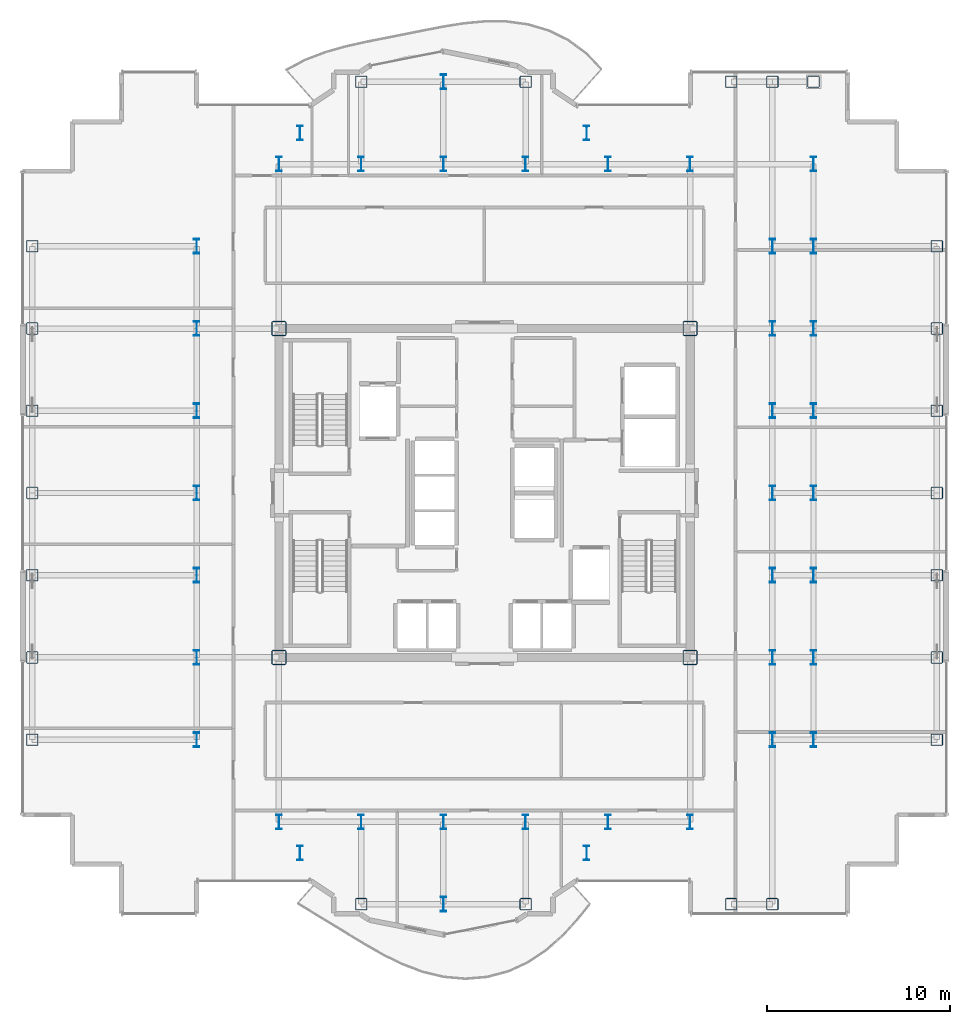
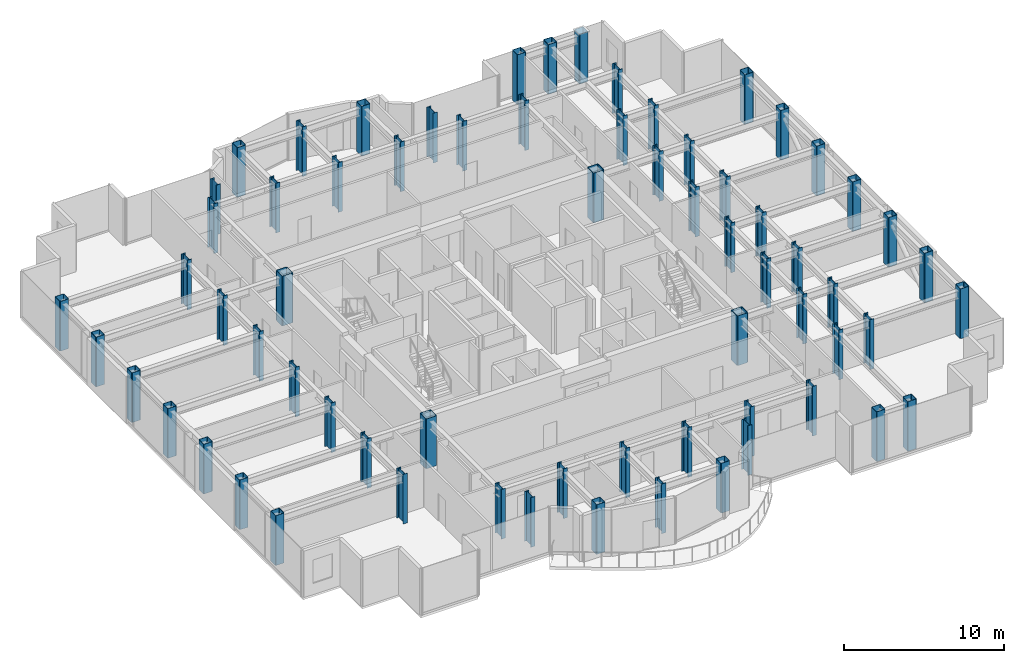
# One storey, part 1 of 22: 67 columns.
"""IFC4 building model written with IfcOpenShell, lengths in metres."""

from ifc_helpers import new_model, si_unit, direction, frame, origin, origin_2d, place, context, subcontext, project, spatial, hollow_rectangle, i_section, extrude, source, transform, mapped, material, material_profile, profile_set, type_object, element, save


model = new_model("IFC4")

# Units and contexts
model_context = context("Model", 3, precision=1e-05, world=origin(), true_north=direction((0.0, 1.0)))
body_context = subcontext(model_context, "Body", "Model", "MODEL_VIEW")
ifc_project = project(units=[si_unit("LENGTHUNIT", "METRE"), si_unit("AREAUNIT", "SQUARE_METRE"), si_unit("VOLUMEUNIT", "CUBIC_METRE"), si_unit("PLANEANGLEUNIT", "RADIAN"), si_unit("MASSUNIT", "GRAM", prefix="KILO")], contexts=[model_context])

# Site, building, storey
site_placement = place(None, origin())
site = spatial("IfcSite", under=ifc_project, at=site_placement, CompositionType="ELEMENT")
building_placement = place(site_placement, origin())
building = spatial("IfcBuilding", under=site, at=building_placement, Name="Nefas-Gora Pilgrimage Tower", CompositionType="ELEMENT")
storey_placement = place(building_placement, frame((0.0, 0.0, 218.0)))
storey = spatial("IfcBuildingStorey", under=building, at=storey_placement, Name="L54", CompositionType="ELEMENT", Elevation=218.0)

# Columns
ifc_material = material(Name="Steel S460", Category="steel")
ifc_material_profile_1 = material_profile(ifc_material, i_section(OverallWidth=0.302978515625, OverallDepth=0.81396484375, WebThickness=0.02099609375, FlangeThickness=0.0400390625, FilletRadius=0.030029296875, at=origin_2d()), Name="HEM 800")
ifc_profile_set_1 = profile_set([ifc_material_profile_1], Name="Steel S460")
column_type_1 = type_object("IfcColumnType", Name="COL-WEB-HEM800", PredefinedType="COLUMN", material=ifc_profile_set_1)
shared_shape_1 = source(origin(), body_context, "Body", "SweptSolid", [
    extrude(i_section(OverallWidth=0.302978515625, OverallDepth=0.81396484375, WebThickness=0.02099609375, FlangeThickness=0.0400390625, FilletRadius=0.030029296875, at=origin_2d()), origin(), (0.0, 0.0, 1.0), 3.800048828125),
])
for number, where, z_axis, x_axis, name in (
    (1, (-15.75, -13.5, 0.0), (0.0, 0.0, 1.0), (1.0, 0.0, 0.0), "L54 Tower Column CW-02.8"),
    (2, (-15.75, -9.0, 0.0), (0.0, 0.0, 1.0), (1.0, 0.0, 0.0), "L54 Tower Column CW-02.9"),
    (3, (-15.75, -4.5, 0.0), (0.0, 0.0, 1.0), (1.0, 0.0, 0.0), "L54 Tower Column CW-02.10"),
    (4, (-15.75, 0.0, 0.0), (0.0, 0.0, 1.0), (1.0, 0.0, 0.0), "L54 Tower Column CW-02.11"),
    (5, (-15.75, 4.5, 0.0), (0.0, 0.0, 1.0), (1.0, 0.0, 0.0), "L54 Tower Column CW-02.12"),
    (6, (-15.75, 9.0, 0.0), (0.0, 0.0, 1.0), (1.0, 0.0, 0.0), "L54 Tower Column CW-02.13"),
    (7, (-15.75, 13.5, 0.0), (0.0, 0.0, 1.0), (1.0, 0.0, 0.0), "L54 Tower Column CW-02.14"),
    (8, (-11.25, -18.0, 0.0), (0.0, 0.0, 1.0), (1.0, 0.0, 0.0), "L54 Tower Column CW-02.15"),
    (9, (-11.25, 18.0, 0.0), (0.0, 0.0, 1.0), (1.0, 0.0, 0.0), "L54 Tower Column CW-02.18"),
    (10, (-10.091064453125, -19.696044921875, 0.0), (0.0, 0.0, 1.0), (1.0, 0.0, 0.0), "L54 Tower Column CW-02.19"),
    (11, (-10.091064453125, 19.696044921875, 0.0), (0.0, 0.0, 1.0), (1.0, 0.0, 0.0), "L54 Tower Column CW-02.20"),
    (12, (-6.75, -18.0, 0.0), (0.0, 0.0, 1.0), (1.0, 0.0, 0.0), "L54 Tower Column CW-02.22"),
    (13, (-6.75, 18.0, 0.0), (0.0, 0.0, 1.0), (1.0, 0.0, 0.0), "L54 Tower Column CW-02.23"),
    (14, (-2.25, -22.5, 0.0), (0.0, 0.0, 1.0), (1.0, 0.0, 0.0), "L54 Tower Column CW-02.25"),
    (15, (-2.25, -18.0, 0.0), (0.0, 0.0, 1.0), (1.0, 0.0, 0.0), "L54 Tower Column CW-02.26"),
    (16, (-2.25, 18.0, 0.0), (0.0, 0.0, 1.0), (1.0, 0.0, 0.0), "L54 Tower Column CW-02.27"),
    (17, (-2.25, 22.5, 0.0), (0.0, 0.0, 1.0), (1.0, 0.0, 0.0), "L54 Tower Column CW-02.28"),
    (18, (2.25, -18.0, 0.0), (0.0, 0.0, 1.0), (1.0, 0.0, 0.0), "L54 Tower Column CW-02.30"),
    (19, (2.25, 18.0, 0.0), (0.0, 0.0, 1.0), (1.0, 0.0, 0.0), "L54 Tower Column CW-02.31"),
    (20, (5.591064453125, -19.696044921875, 0.0), (0.0, 0.0, 1.0), (1.0, 0.0, 0.0), "L54 Tower Column CW-02.33"),
    (21, (5.591064453125, 19.696044921875, 0.0), (0.0, 0.0, 1.0), (1.0, 0.0, 0.0), "L54 Tower Column CW-02.34"),
    (22, (6.75, -18.0, 0.0), (0.0, 0.0, 1.0), (1.0, 0.0, 0.0), "L54 Tower Column CW-02.35"),
    (23, (6.75, 18.0, 0.0), (0.0, 0.0, 1.0), (1.0, 0.0, 0.0), "L54 Tower Column CW-02.36"),
    (24, (11.25, -18.0, 0.0), (0.0, 0.0, 1.0), (1.0, 0.0, 0.0), "L54 Tower Column CW-02.37"),
    (25, (11.25, 18.0, 0.0), (0.0, 0.0, 1.0), (1.0, 0.0, 0.0), "L54 Tower Column CW-02.40"),
    (26, (15.75, -13.5, 0.0), (0.0, 0.0, 1.0), (1.0, 0.0, 0.0), "L54 Tower Column CW-02.44"),
    (27, (15.75, -9.0, 0.0), (0.0, 0.0, 1.0), (1.0, 0.0, 0.0), "L54 Tower Column CW-02.45"),
    (28, (15.75, -4.5, 0.0), (0.0, 0.0, 1.0), (1.0, 0.0, 0.0), "L54 Tower Column CW-02.46"),
    (29, (15.75, 0.0, 0.0), (0.0, 0.0, 1.0), (1.0, 0.0, 0.0), "L54 Tower Column CW-02.47"),
    (30, (15.75, 4.5, 0.0), (0.0, 0.0, 1.0), (1.0, 0.0, 0.0), "L54 Tower Column CW-02.48"),
    (31, (15.75, 9.0, 0.0), (0.0, 0.0, 1.0), (1.0, 0.0, 0.0), "L54 Tower Column CW-02.49"),
    (32, (15.75, 13.5, 0.0), (0.0, 0.0, 1.0), (1.0, 0.0, 0.0), "L54 Tower Column CW-02.50"),
    (33, (18.0, -13.5, 0.0), (0.0, 0.0, 1.0), (1.0, 0.0, 0.0), "L54 Tower Column CW-02.52"),
    (34, (18.0, -9.0, 0.0), (0.0, 0.0, 1.0), (1.0, 0.0, 0.0), "L54 Tower Column CW-02.53"),
    (35, (18.0, -4.5, 0.0), (0.0, 0.0, 1.0), (1.0, 0.0, 0.0), "L54 Tower Column CW-02.54"),
    (36, (18.0, 0.0, 0.0), (0.0, 0.0, 1.0), (1.0, 0.0, 0.0), "L54 Tower Column CW-02.55"),
    (37, (18.0, 4.5, 0.0), (0.0, 0.0, 1.0), (1.0, 0.0, 0.0), "L54 Tower Column CW-02.56"),
    (38, (18.0, 9.0, 0.0), (0.0, 0.0, 1.0), (1.0, 0.0, 0.0), "L54 Tower Column CW-02.57"),
    (39, (18.0, 13.5, 0.0), (0.0, 0.0, 1.0), (1.0, 0.0, 0.0), "L54 Tower Column CW-02.58"),
    (40, (18.0, 18.0, 0.0), (0.0, 0.0, 1.0), (1.0, 0.0, 0.0), "L54 Tower Column CW-02.59"),
):
    element("IfcColumn", number, at=place(storey_placement, frame(where, z_axis=z_axis, x_axis=x_axis)), inside=storey, type_object=column_type_1, Name=name, PredefinedType="COLUMN", context=body_context, shape_type="MappedRepresentation", body=[
        mapped(shared_shape_1, transform((0.0, 0.0, 0.0), x_axis=(1.0, 0.0, 0.0), y_axis=(0.0, 1.0, 0.0), z_axis=(0.0, 0.0, 1.0), scale=1.0)),
    ])
ifc_material_profile_2 = material_profile(ifc_material, hollow_rectangle(XDim=0.800048828125, YDim=0.800048828125, WallThickness=0.0400390625, InnerFilletRadius=0.0400390625, OuterFilletRadius=0.080078125, at=origin_2d()), Name="BOX 800x800x40")
ifc_profile_set_2 = profile_set([ifc_material_profile_2], Name="Steel S460")
column_type_2 = type_object("IfcColumnType", Name="COL-CORE-800", PredefinedType="COLUMN", material=ifc_profile_set_2)
shared_shape_2 = source(origin(), body_context, "Body", "SweptSolid", [
    extrude(hollow_rectangle(XDim=0.800048828125, YDim=0.800048828125, WallThickness=0.0400390625, InnerFilletRadius=0.0400390625, OuterFilletRadius=0.080078125, at=origin_2d()), origin(), (0.0, 0.0, 1.0), 3.800048828125),
])
for number, where, z_axis, x_axis, name in (
    (41, (-11.25, -9.0, 0.0), (0.0, 0.0, 1.0), (1.0, 0.0, 0.0), "L54 Tower Column CC-Z2.16"),
    (42, (-11.25, 9.0, 0.0), (0.0, 0.0, 1.0), (1.0, 0.0, 0.0), "L54 Tower Column CC-Z2.17"),
    (43, (11.25, -9.0, 0.0), (0.0, 0.0, 1.0), (1.0, 0.0, 0.0), "L54 Tower Column CC-Z2.38"),
    (44, (11.25, 9.0, 0.0), (0.0, 0.0, 1.0), (1.0, 0.0, 0.0), "L54 Tower Column CC-Z2.39"),
):
    element("IfcColumn", number, at=place(storey_placement, frame(where, z_axis=z_axis, x_axis=x_axis)), inside=storey, type_object=column_type_2, Name=name, PredefinedType="COLUMN", context=body_context, shape_type="MappedRepresentation", body=[
        mapped(shared_shape_2, transform((0.0, 0.0, 0.0), x_axis=(1.0, 0.0, 0.0), y_axis=(0.0, 1.0, 0.0), z_axis=(0.0, 0.0, 1.0), scale=1.0)),
    ])
ifc_material_profile_3 = material_profile(ifc_material, hollow_rectangle(XDim=0.64990234375, YDim=0.64990234375, WallThickness=0.031982421875, InnerFilletRadius=0.031982421875, OuterFilletRadius=0.06396484375, at=origin_2d()), Name="BOX 650x650x32")
ifc_profile_set_3 = profile_set([ifc_material_profile_3], Name="Steel S460")
column_type_3 = type_object("IfcColumnType", Name="COL-TUBE-650", PredefinedType="COLUMN", material=ifc_profile_set_3)
shared_shape_3 = source(origin(), body_context, "Body", "SweptSolid", [
    extrude(hollow_rectangle(XDim=0.64990234375, YDim=0.64990234375, WallThickness=0.031982421875, InnerFilletRadius=0.031982421875, OuterFilletRadius=0.06396484375, at=origin_2d()), origin(), (0.0, 0.0, 1.0), 3.800048828125),
])
for number, where, z_axis, x_axis, name in (
    (45, (-24.75, -13.5, 0.0), (0.0, 0.0, 1.0), (1.0, 0.0, 0.0), "L54 Tower Column C-Z3.1"),
    (46, (-24.75, -9.0, 0.0), (0.0, 0.0, 1.0), (1.0, 0.0, 0.0), "L54 Tower Column C-Z3.2"),
    (47, (-24.75, -4.5, 0.0), (0.0, 0.0, 1.0), (1.0, 0.0, 0.0), "L54 Tower Column C-Z3.3"),
    (48, (-24.75, 0.0, 0.0), (0.0, 0.0, 1.0), (1.0, 0.0, 0.0), "L54 Tower Column C-Z3.4"),
    (49, (-24.75, 4.5, 0.0), (0.0, 0.0, 1.0), (1.0, 0.0, 0.0), "L54 Tower Column C-Z3.5"),
    (50, (-24.75, 9.0, 0.0), (0.0, 0.0, 1.0), (1.0, 0.0, 0.0), "L54 Tower Column C-Z3.6"),
    (51, (-24.75, 13.5, 0.0), (0.0, 0.0, 1.0), (1.0, 0.0, 0.0), "L54 Tower Column C-Z3.7"),
    (52, (-6.75, -22.5, 0.0), (0.0, 0.0, 1.0), (1.0, 0.0, 0.0), "L54 Tower Column C-Z3.21"),
    (53, (-6.75, 22.5, 0.0), (0.0, 0.0, 1.0), (1.0, 0.0, 0.0), "L54 Tower Column C-Z3.24"),
    (54, (2.25, -22.5, 0.0), (0.0, 0.0, 1.0), (1.0, 0.0, 0.0), "L54 Tower Column C-Z3.29"),
    (55, (2.25, 22.5, 0.0), (0.0, 0.0, 1.0), (1.0, 0.0, 0.0), "L54 Tower Column C-Z3.32"),
    (56, (13.5, -22.5, 0.0), (0.0, 0.0, 1.0), (1.0, 0.0, 0.0), "L54 Tower Column C-Z3.41"),
    (57, (13.5, 22.5, 0.0), (0.0, 0.0, 1.0), (1.0, 0.0, 0.0), "L54 Tower Column C-Z3.42"),
    (58, (15.75, -22.5, 0.0), (0.0, 0.0, 1.0), (1.0, 0.0, 0.0), "L54 Tower Column C-Z3.43"),
    (59, (15.75, 22.5, 0.0), (0.0, 0.0, 1.0), (1.0, 0.0, 0.0), "L54 Tower Column C-Z3.51"),
    (60, (18.0, 22.5, 0.0), (0.0, 0.0, 1.0), (1.0, 0.0, 0.0), "L54 Tower Column C-Z3.60"),
    (61, (24.75, -13.5, 0.0), (0.0, 0.0, 1.0), (1.0, 0.0, 0.0), "L54 Tower Column C-Z3.61"),
    (62, (24.75, -9.0, 0.0), (0.0, 0.0, 1.0), (1.0, 0.0, 0.0), "L54 Tower Column C-Z3.62"),
    (63, (24.75, -4.5, 0.0), (0.0, 0.0, 1.0), (1.0, 0.0, 0.0), "L54 Tower Column C-Z3.63"),
    (64, (24.75, 0.0, 0.0), (0.0, 0.0, 1.0), (1.0, 0.0, 0.0), "L54 Tower Column C-Z3.64"),
    (65, (24.75, 4.5, 0.0), (0.0, 0.0, 1.0), (1.0, 0.0, 0.0), "L54 Tower Column C-Z3.65"),
    (66, (24.75, 9.0, 0.0), (0.0, 0.0, 1.0), (1.0, 0.0, 0.0), "L54 Tower Column C-Z3.66"),
    (67, (24.75, 13.5, 0.0), (0.0, 0.0, 1.0), (1.0, 0.0, 0.0), "L54 Tower Column C-Z3.67"),
):
    element("IfcColumn", number, at=place(storey_placement, frame(where, z_axis=z_axis, x_axis=x_axis)), inside=storey, type_object=column_type_3, Name=name, PredefinedType="COLUMN", context=body_context, shape_type="MappedRepresentation", body=[
        mapped(shared_shape_3, transform((0.0, 0.0, 0.0), x_axis=(1.0, 0.0, 0.0), y_axis=(0.0, 1.0, 0.0), z_axis=(0.0, 0.0, 1.0), scale=1.0)),
    ])

save(model, "model.ifc")
